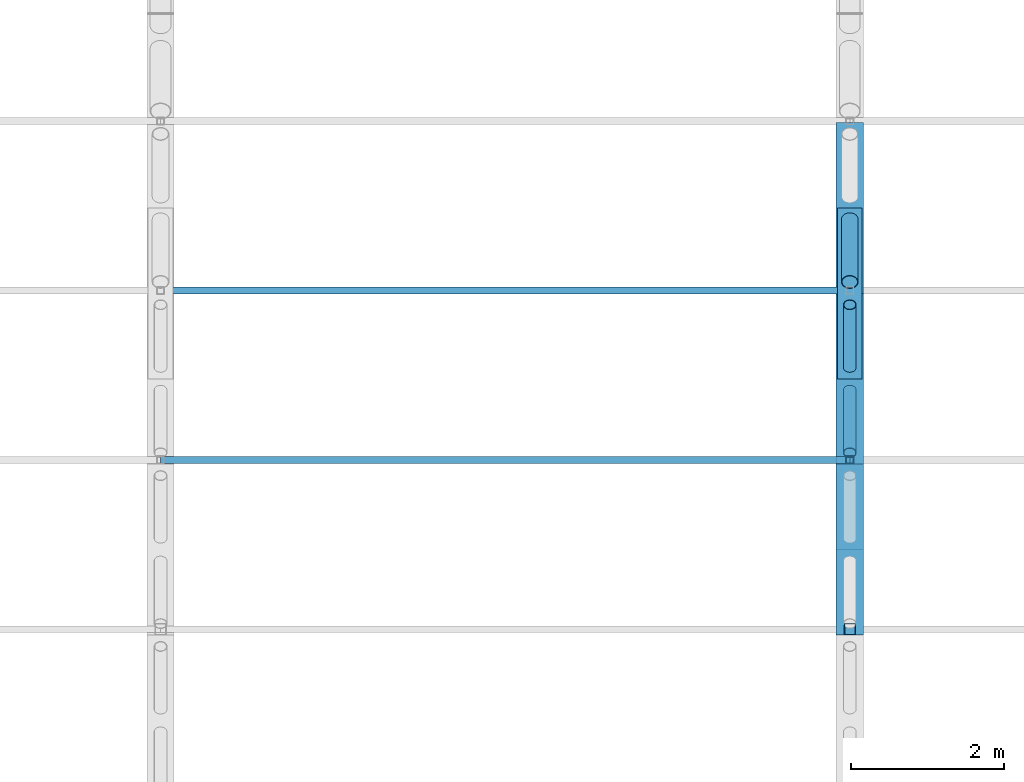
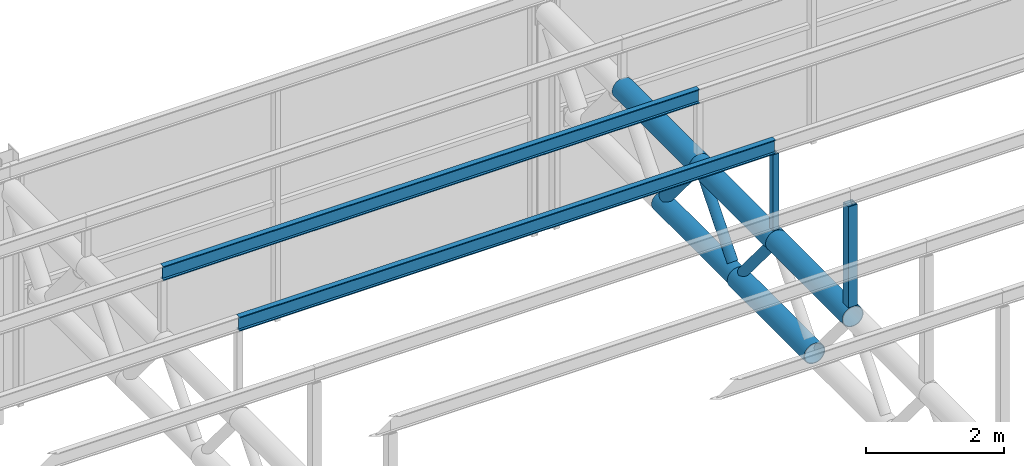
# One storey, part 37 of 138: 12 members.
"""IFC4 building model written with IfcOpenShell, lengths in metres."""

from ifc_helpers import new_model, si_unit, direction, frame, origin, origin_2d, place, context, subcontext, project, spatial, hollow_rectangle, hollow_circle, i_section, extrude, material, material_profile, profile_set, type_object, element, save


model = new_model("IFC4")

# Units and contexts
model_context = context("Model", 3, precision=1e-05, world=origin(), true_north=direction((0.0, 1.0)))
body_context = subcontext(model_context, "Body", "Model", "MODEL_VIEW")
ifc_project = project(units=[si_unit("LENGTHUNIT", "METRE"), si_unit("AREAUNIT", "SQUARE_METRE"), si_unit("VOLUMEUNIT", "CUBIC_METRE"), si_unit("PLANEANGLEUNIT", "RADIAN"), si_unit("MASSUNIT", "GRAM", prefix="KILO")], contexts=[model_context])

# Site, building, storey
site_placement = place(None, origin())
site = spatial("IfcSite", under=ifc_project, at=site_placement, CompositionType="ELEMENT")
building_placement = place(site_placement, origin())
building = spatial("IfcBuilding", under=site, at=building_placement, Name="Corbel Yard City Hall", CompositionType="ELEMENT")
storey_placement = place(building_placement, frame((0.0, 0.0, 10.5)))
storey = spatial("IfcBuildingStorey", under=building, at=storey_placement, Name="L02", CompositionType="ELEMENT", Elevation=10.5)

# Members
ifc_material_1 = material(Name="Steel Grade C350L0", Category="steel")
ifc_material_profile_1 = material_profile(ifc_material_1, hollow_circle(Radius=0.161865234375, WallThickness=0.0126953125, at=origin_2d()), Name="323.9x12.7CHS")
ifc_profile_set_1 = profile_set([ifc_material_profile_1], Name="Steel Grade C350L0")
member_type_1 = type_object("IfcMemberType", Name="Hall roof truss bottom chord 323.9x12.7CHS", PredefinedType="CHORD", material=ifc_profile_set_1)
member_1_placement = place(storey_placement, frame((54.0, 21.270263671875, 2.59228515625), z_axis=(0.0, 1.0, 0.0), x_axis=(-1.0, 0.0, 0.0)))
element("IfcMember", 1, at=member_1_placement, inside=storey, type_object=member_type_1, Name="Hall roof truss bottom chord 323.9x12.7CHS TC2", PredefinedType="CHORD", context=body_context, shape_type="SweptSolid", body=[
    extrude(hollow_circle(Radius=0.161865234375, WallThickness=0.0126953125, at=origin_2d()), origin(), (0.0, 0.0, 1.0), 2.230712890625),
])
ifc_material_profile_2 = material_profile(ifc_material_1, hollow_circle(Radius=0.177734375, WallThickness=0.0126953125, at=origin_2d()), Name="355.6x12.7CHS")
ifc_profile_set_2 = profile_set([ifc_material_profile_2], Name="Steel Grade C350L0")
member_type_2 = type_object("IfcMemberType", Name="Hall roof truss bottom chord 355.6x12.7CHS", PredefinedType="CHORD", material=ifc_profile_set_2)
member_2_placement = place(storey_placement, frame((54.0, 19.039306640625, 2.59228515625), z_axis=(0.0, 1.0, 0.0), x_axis=(-1.0, 0.0, 0.0)))
element("IfcMember", 2, at=member_2_placement, inside=storey, type_object=member_type_2, Name="Hall roof truss bottom chord 355.6x12.7CHS TC3", PredefinedType="CHORD", context=body_context, shape_type="SweptSolid", body=[
    extrude(hollow_circle(Radius=0.177734375, WallThickness=0.0126953125, at=origin_2d()), origin(), (0.0, 0.0, 1.0), 2.23095703125),
])
ifc_material_profile_3 = material_profile(ifc_material_1, hollow_circle(Radius=0.084228515625, WallThickness=0.007080078125, at=origin_2d()), Name="168.3x7.1CHS")
ifc_profile_set_3 = profile_set([ifc_material_profile_3], Name="Steel Grade C350L0")
member_type_3 = type_object("IfcMemberType", Name="Hall roof truss diagonal 168.3x7.1CHS", PredefinedType="STRUT", material=ifc_profile_set_3)
for number, where, z_axis, x_axis, name in (
    (3, (54.0, 20.3037109375, 3.744384765625), (0.0, 0.642692233301, -0.766124463292), (-1.0, 0.0, 0.0), "Hall roof truss diagonal 168.3x7.1CHS TD3"),
    (4, (54.0, 21.419189453125, 2.77001953125), (0.0, 0.642692233301, 0.766124463292), (-1.0, 0.0, 0.0), "Hall roof truss diagonal 168.3x7.1CHS TD3"),
):
    element("IfcMember", number, at=place(storey_placement, frame(where, z_axis=z_axis, x_axis=x_axis)), inside=storey, type_object=member_type_3, Name=name, PredefinedType="STRUT", context=body_context, shape_type="SweptSolid", body=[
        extrude(hollow_circle(Radius=0.084228515625, WallThickness=0.007080078125, at=origin_2d()), origin(), (0.0, 0.0, 1.0), 1.271728515625),
    ])
ifc_material_profile_4 = material_profile(ifc_material_1, hollow_circle(Radius=0.109619140625, WallThickness=0.00830078125, at=origin_2d()), Name="219.1x8.2CHS")
ifc_profile_set_4 = profile_set([ifc_material_profile_4], Name="Steel Grade C350L0")
member_type_4 = type_object("IfcMemberType", Name="Hall roof truss diagonal 219.1x8.2CHS", PredefinedType="STRUT", material=ifc_profile_set_4)
member_3_placement = place(storey_placement, frame((54.0, 22.53466796875, 3.744384765625), z_axis=(0.0, 0.642692233301, -0.766124463292), x_axis=(-1.0, 0.0, 0.0)))
element("IfcMember", 5, at=member_3_placement, inside=storey, type_object=member_type_4, Name="Hall roof truss diagonal 219.1x8.2CHS TD2", PredefinedType="STRUT", context=body_context, shape_type="SweptSolid", body=[
    extrude(hollow_circle(Radius=0.109619140625, WallThickness=0.00830078125, at=origin_2d()), origin(), (0.0, 0.0, 1.0), 1.271728515625),
])
ifc_material_profile_5 = material_profile(ifc_material_1, hollow_circle(Radius=0.177734375, WallThickness=0.0126953125, at=origin_2d()), Name="355.6x12.7CHS")
ifc_profile_set_5 = profile_set([ifc_material_profile_5], Name="Steel Grade C350L0")
member_type_5 = type_object("IfcMemberType", Name="Hall roof truss top chord 355.6x12.7CHS", PredefinedType="CHORD", material=ifc_profile_set_5)
for number, where, z_axis, x_axis, name in (
    (6, (54.0, 17.923828125, 3.922119140625), (0.0, 1.0, 0.0), (-1.0, 0.0, 0.0), "Hall roof truss top chord 355.6x12.7CHS TC1"),
    (7, (54.0, 20.15478515625, 3.922119140625), (0.0, 1.0, 0.0), (-1.0, 0.0, 0.0), "Hall roof truss top chord 355.6x12.7CHS TC1"),
):
    element("IfcMember", number, at=place(storey_placement, frame(where, z_axis=z_axis, x_axis=x_axis)), inside=storey, type_object=member_type_5, Name=name, PredefinedType="CHORD", context=body_context, shape_type="SweptSolid", body=[
        extrude(hollow_circle(Radius=0.177734375, WallThickness=0.0126953125, at=origin_2d()), origin(), (0.0, 0.0, 1.0), 2.23095703125),
    ])
member_4_placement = place(storey_placement, frame((54.0, 22.3857421875, 3.922119140625), z_axis=(0.0, 1.0, 0.0), x_axis=(-1.0, 0.0, 0.0)))
element("IfcMember", 8, at=member_4_placement, inside=storey, type_object=member_type_5, Name="Hall roof truss top chord 355.6x12.7CHS TC1", PredefinedType="CHORD", context=body_context, shape_type="SweptSolid", body=[
    extrude(hollow_circle(Radius=0.177734375, WallThickness=0.0126953125, at=origin_2d()), origin(), (0.0, 0.0, 1.0), 2.230712890625),
])
ifc_material_2 = material(Name="Steel Grade 300 (300 MPa yield)", Category="steel")
ifc_material_profile_6 = material_profile(ifc_material_2, i_section(OverallWidth=0.090087890625, OverallDepth=0.25, WebThickness=0.008056640625, FlangeThickness=0.014892578125, at=origin_2d()), Name="250PFC")
ifc_profile_set_6 = profile_set([ifc_material_profile_6], Name="Steel Grade 300 (300 MPa yield)")
member_type_6 = type_object("IfcMemberType", Name="Purlin 250PFC", PredefinedType="PURLIN", material=ifc_profile_set_6)
for number, where, z_axis, x_axis, name in (
    (9, (45.0, 20.2119140625, 5.57373046875), (1.0, 0.0, 0.0), (0.0, 1.0, 0.0), "Purlin 250PFC PU1"),
    (10, (45.0, 22.423828125, 5.13134765625), (1.0, 0.0, 0.0), (0.0, 1.0, 0.0), "Purlin 250PFC PU1"),
):
    element("IfcMember", number, at=place(storey_placement, frame(where, z_axis=z_axis, x_axis=x_axis)), inside=storey, type_object=member_type_6, Name=name, PredefinedType="PURLIN", context=body_context, shape_type="SweptSolid", body=[
        extrude(i_section(OverallWidth=0.090087890625, OverallDepth=0.25, WebThickness=0.008056640625, FlangeThickness=0.014892578125, at=origin_2d()), origin(), (0.0, 0.0, 1.0), 9.0),
    ])
ifc_material_3 = material(Name="Steel Grade C450L0", Category="steel")
ifc_material_profile_7 = material_profile(ifc_material_3, hollow_rectangle(XDim=0.10009765625, YDim=0.10009765625, WallThickness=0.006103515625, at=origin_2d()), Name="100x100x6.0SHS")
ifc_profile_set_7 = profile_set([ifc_material_profile_7], Name="Steel Grade C450L0")
member_type_7 = type_object("IfcMemberType", Name="Roof post 100x100x6.0SHS", PredefinedType="POST", material=ifc_profile_set_7)
member_5_placement = place(storey_placement, frame((54.0, 20.2119140625, 4.10009765625), z_axis=(0.0, 0.0, 1.0), x_axis=(1.0, 0.0, 0.0)))
element("IfcMember", 11, at=member_5_placement, inside=storey, type_object=member_type_7, Name="Roof post 100x100x6.0SHS RP3", PredefinedType="POST", context=body_context, shape_type="SweptSolid", body=[
    extrude(hollow_rectangle(XDim=0.10009765625, YDim=0.10009765625, WallThickness=0.006103515625, at=origin_2d()), origin(), (0.0, 0.0, 1.0), 1.3486328125),
])
ifc_material_profile_8 = material_profile(ifc_material_3, hollow_rectangle(XDim=0.14990234375, YDim=0.14990234375, WallThickness=0.009033203125, at=origin_2d()), Name="150x150x9.0SHS")
ifc_profile_set_8 = profile_set([ifc_material_profile_8], Name="Steel Grade C450L0")
member_type_8 = type_object("IfcMemberType", Name="Roof post 150x150x9.0SHS", PredefinedType="POST", material=ifc_profile_set_8)
member_6_placement = place(storey_placement, frame((54.0, 18.0, 4.10009765625), z_axis=(0.0, 0.0, 1.0), x_axis=(1.0, 0.0, 0.0)))
element("IfcMember", 12, at=member_6_placement, inside=storey, type_object=member_type_8, Name="Roof post 150x150x9.0SHS RP2", PredefinedType="POST", context=body_context, shape_type="SweptSolid", body=[
    extrude(hollow_rectangle(XDim=0.14990234375, YDim=0.14990234375, WallThickness=0.009033203125, at=origin_2d()), origin(), (0.0, 0.0, 1.0), 1.791015625),
])

save(model, "model.ifc")
